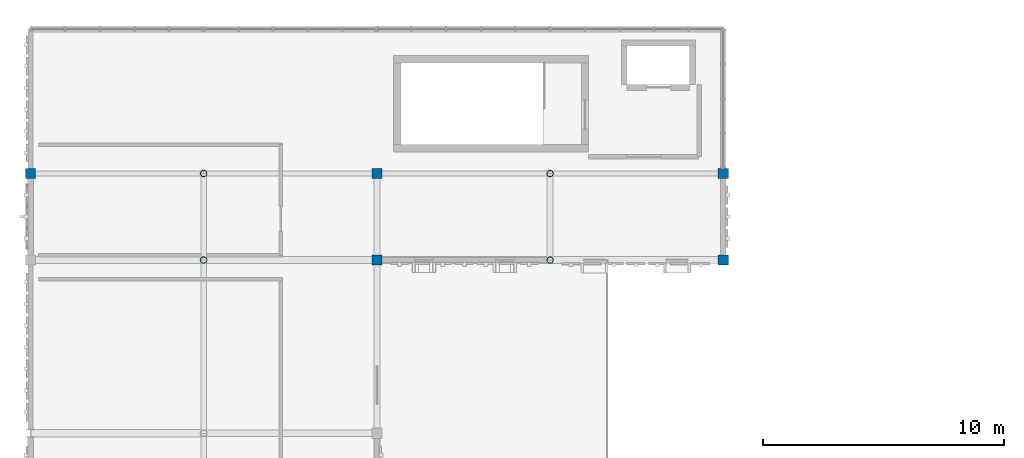
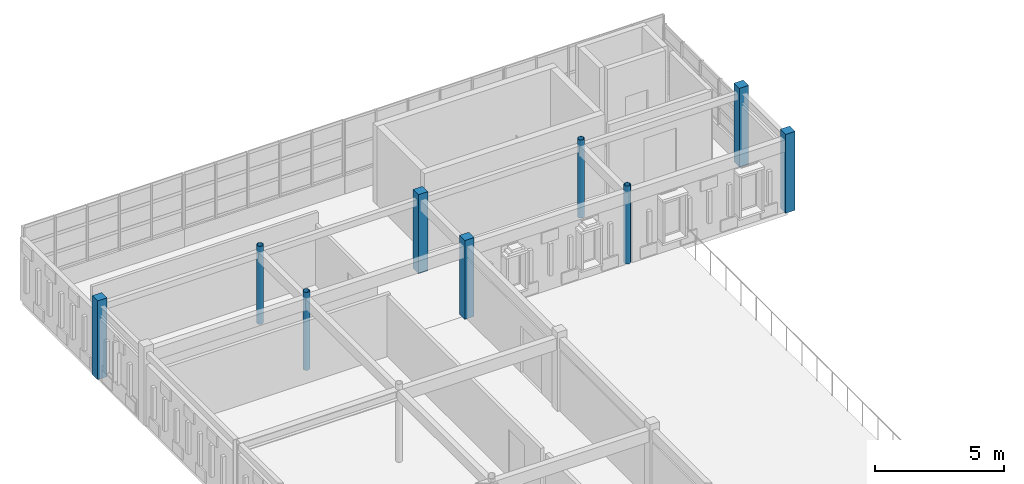
# One storey, part 3 of 46: 9 columns.
"""IFC4 building model written with IfcOpenShell, lengths in metres."""

from ifc_helpers import new_model, si_unit, direction, frame, origin, origin_2d, place, context, subcontext, project, spatial, rectangle, hollow_circle, extrude, material, material_profile, profile_set, type_object, element, save


model = new_model("IFC4")

# Units and contexts
model_context = context("Model", 3, precision=1e-05, world=origin(), true_north=direction((0.0, 1.0)))
body_context = subcontext(model_context, "Body", "Model", "MODEL_VIEW")
ifc_project = project(units=[si_unit("LENGTHUNIT", "METRE"), si_unit("AREAUNIT", "SQUARE_METRE"), si_unit("VOLUMEUNIT", "CUBIC_METRE"), si_unit("PLANEANGLEUNIT", "RADIAN"), si_unit("MASSUNIT", "GRAM", prefix="KILO")], contexts=[model_context])

# Site, building, storey
site_placement = place(None, origin())
site = spatial("IfcSite", under=ifc_project, at=site_placement, CompositionType="ELEMENT")
building_placement = place(site_placement, origin())
building = spatial("IfcBuilding", under=site, at=building_placement, Name="Nzembalo Square Collegiate School", CompositionType="ELEMENT")
storey_placement = place(building_placement, frame((0.0, 0.0, 17.340087890625)))
storey = spatial("IfcBuildingStorey", under=building, at=storey_placement, Name="L04", CompositionType="ELEMENT", Elevation=17.340087890625)

# Columns
ifc_material_1 = material(Name="Glulam GL28h", Category="wood")
ifc_material_profile_1 = material_profile(ifc_material_1, rectangle(XDim=0.419921875, YDim=0.419921875, at=origin_2d()), Name="GL28h 420x420")
ifc_profile_set_1 = profile_set([ifc_material_profile_1], Name="Glulam GL28h")
column_type_1 = type_object("IfcColumnType", Name="C06", PredefinedType="COLUMN", material=ifc_profile_set_1)
for number, where, z_axis, x_axis, name in (
    (1, (8.39990234375, 82.800048828125, 0.0), (0.0, 0.0, 1.0), (1.0, 0.0, 0.0), "Column C06 L04 2/M"),
    (2, (22.800048828125, 79.199951171875, 0.0), (0.0, 0.0, 1.0), (1.0, 0.0, 0.0), "Column C06 L04 4/L"),
    (3, (22.800048828125, 82.800048828125, 0.0), (0.0, 0.0, 1.0), (1.0, 0.0, 0.0), "Column C06 L04 4/M"),
    (4, (37.199951171875, 79.199951171875, 0.0), (0.0, 0.0, 1.0), (1.0, 0.0, 0.0), "Column C06 L04 6/L"),
    (5, (37.199951171875, 82.800048828125, 0.0), (0.0, 0.0, 1.0), (1.0, 0.0, 0.0), "Column C06 L04 6/M"),
):
    element("IfcColumn", number, at=place(storey_placement, frame(where, z_axis=z_axis, x_axis=x_axis)), inside=storey, type_object=column_type_1, Name=name, PredefinedType="COLUMN", context=body_context, shape_type="SweptSolid", body=[
        extrude(rectangle(XDim=0.419921875, YDim=0.419921875, at=origin_2d()), origin(), (0.0, 0.0, 1.0), 3.739990234375),
    ])
ifc_material_2 = material(Name="Steel S355", Category="steel")
ifc_material_profile_2 = material_profile(ifc_material_2, hollow_circle(Radius=0.136474609375, WallThickness=0.011962890625, at=origin_2d()), Name="CHS 273x12")
ifc_profile_set_2 = profile_set([ifc_material_profile_2], Name="Steel S355")
column_type_2 = type_object("IfcColumnType", Name="C09", PredefinedType="COLUMN", material=ifc_profile_set_2)
for number, where, z_axis, x_axis, name in (
    (6, (15.60009765625, 79.199951171875, 0.0), (0.0, 0.0, 1.0), (1.0, 0.0, 0.0), "Column C09 L04 3/L"),
    (7, (15.60009765625, 82.800048828125, 0.0), (0.0, 0.0, 1.0), (1.0, 0.0, 0.0), "Column C09 L04 3/M"),
    (8, (30.0, 79.199951171875, 0.0), (0.0, 0.0, 1.0), (1.0, 0.0, 0.0), "Column C09 L04 5/L"),
    (9, (30.0, 82.800048828125, 0.0), (0.0, 0.0, 1.0), (1.0, 0.0, 0.0), "Column C09 L04 5/M"),
):
    element("IfcColumn", number, at=place(storey_placement, frame(where, z_axis=z_axis, x_axis=x_axis)), inside=storey, type_object=column_type_2, Name=name, PredefinedType="COLUMN", context=body_context, shape_type="SweptSolid", body=[
        extrude(hollow_circle(Radius=0.136474609375, WallThickness=0.011962890625, at=origin_2d()), origin(), (0.0, 0.0, 1.0), 3.699951171875),
    ])

save(model, "model.ifc")
